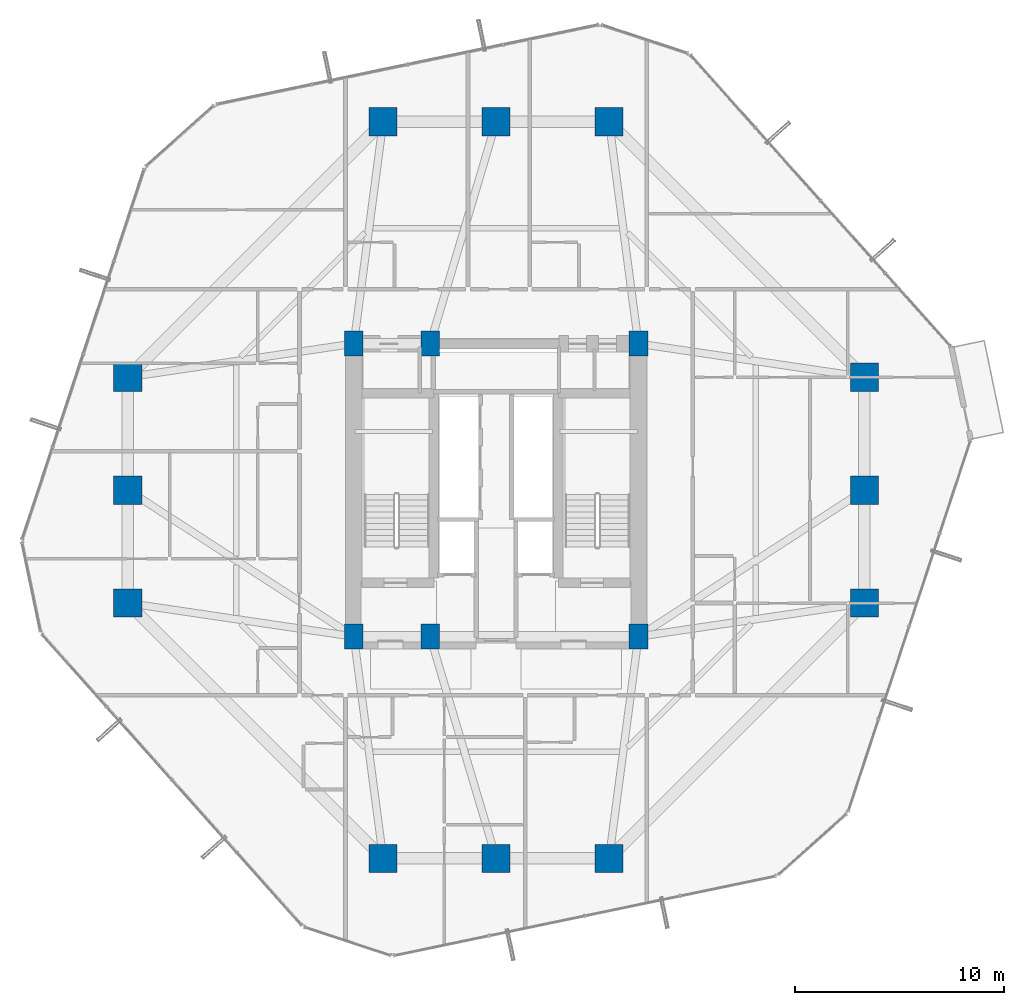
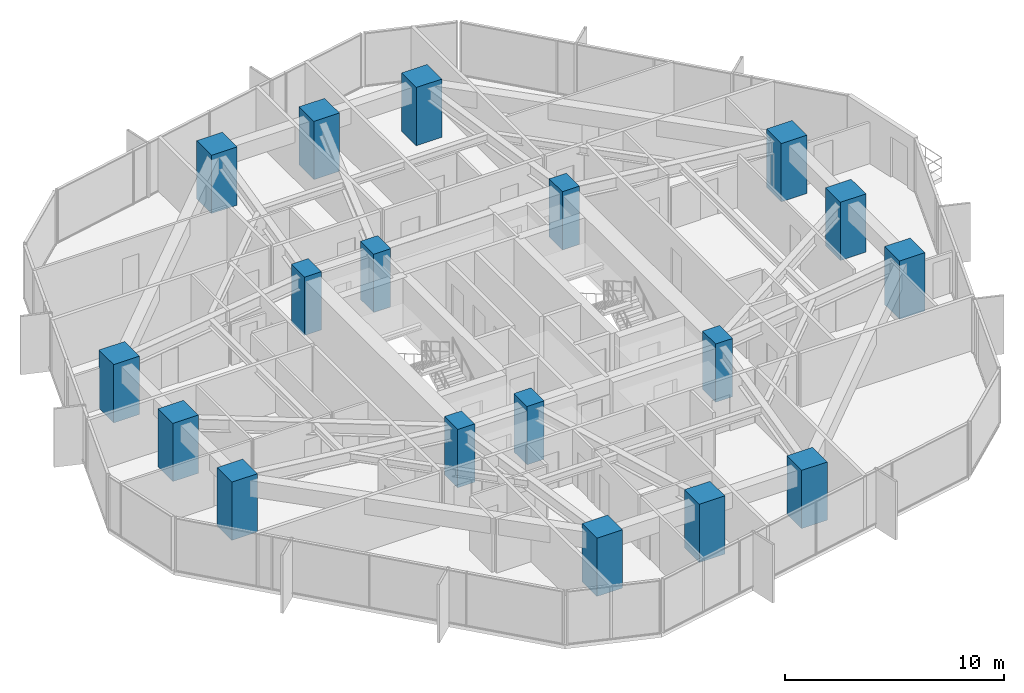
# One storey, part 1 of 38: 18 columns.
"""IFC4 building model written with IfcOpenShell, lengths in metres."""

from ifc_helpers import new_model, si_unit, direction, frame, origin, origin_2d, place, context, subcontext, project, spatial, rectangle, extrude, material, material_profile, profile_set, type_object, element, save


model = new_model("IFC4")

# Units and contexts
model_context = context("Model", 3, precision=1e-05, world=origin(), true_north=direction((0.0, 1.0)))
body_context = subcontext(model_context, "Body", "Model", "MODEL_VIEW")
ifc_project = project(units=[si_unit("LENGTHUNIT", "METRE"), si_unit("AREAUNIT", "SQUARE_METRE"), si_unit("VOLUMEUNIT", "CUBIC_METRE"), si_unit("PLANEANGLEUNIT", "RADIAN"), si_unit("MASSUNIT", "GRAM", prefix="KILO")], contexts=[model_context])

# Site, building, storey
site_placement = place(None, origin())
site = spatial("IfcSite", under=ifc_project, at=site_placement, CompositionType="ELEMENT")
building_placement = place(site_placement, origin())
building = spatial("IfcBuilding", under=site, at=building_placement, Name="Veraguas Prism Commons", CompositionType="ELEMENT")
storey_placement = place(building_placement, frame((0.0, 0.0, 64.10009765625)))
storey = spatial("IfcBuildingStorey", under=building, at=storey_placement, Name="L17", CompositionType="ELEMENT", Elevation=64.10009765625)

# Columns
ifc_material = material(Name="Concrete C60/75", Category="concrete")
ifc_material_profile_1 = material_profile(ifc_material, rectangle(XDim=1.35009765625, YDim=1.35009765625, at=origin_2d()), Name="RC1350X1350")
ifc_profile_set_1 = profile_set([ifc_material_profile_1], Name="Concrete C60/75")
column_type_1 = type_object("IfcColumnType", Name="Column Tube Z1 RC 1350x1350", PredefinedType="COLUMN", material=ifc_profile_set_1)
for number, where, z_axis, x_axis, name in (
    (1, (41.60009765625, 18.60009765625, 0.0), (0.0, 0.0, 1.0), (1.0, 0.0, 0.0), "Tower Perimeter Column L17-TB01"),
    (2, (41.60009765625, 24.0, 0.0), (0.0, 0.0, 1.0), (1.0, 0.0, 0.0), "Tower Perimeter Column L17-TB02"),
    (3, (41.60009765625, 29.39990234375, 0.0), (0.0, 0.0, 1.0), (1.0, 0.0, 0.0), "Tower Perimeter Column L17-TB03"),
    (4, (29.39990234375, 41.60009765625, 0.0), (0.0, 0.0, 1.0), (1.0, 0.0, 0.0), "Tower Perimeter Column L17-TB04"),
    (5, (24.0, 41.60009765625, 0.0), (0.0, 0.0, 1.0), (1.0, 0.0, 0.0), "Tower Perimeter Column L17-TB05"),
    (6, (18.60009765625, 41.60009765625, 0.0), (0.0, 0.0, 1.0), (1.0, 0.0, 0.0), "Tower Perimeter Column L17-TB06"),
    (7, (6.39990234375, 29.39990234375, 0.0), (0.0, 0.0, 1.0), (1.0, 0.0, 0.0), "Tower Perimeter Column L17-TB07"),
    (8, (6.39990234375, 24.0, 0.0), (0.0, 0.0, 1.0), (1.0, 0.0, 0.0), "Tower Perimeter Column L17-TB08"),
    (9, (6.39990234375, 18.60009765625, 0.0), (0.0, 0.0, 1.0), (1.0, 0.0, 0.0), "Tower Perimeter Column L17-TB09"),
    (10, (18.60009765625, 6.39990234375, 0.0), (0.0, 0.0, 1.0), (1.0, 0.0, 0.0), "Tower Perimeter Column L17-TB10"),
    (11, (24.0, 6.39990234375, 0.0), (0.0, 0.0, 1.0), (1.0, 0.0, 0.0), "Tower Perimeter Column L17-TB11"),
    (12, (29.39990234375, 6.39990234375, 0.0), (0.0, 0.0, 1.0), (1.0, 0.0, 0.0), "Tower Perimeter Column L17-TB12"),
):
    element("IfcColumn", number, at=place(storey_placement, frame(where, z_axis=z_axis, x_axis=x_axis)), inside=storey, type_object=column_type_1, Name=name, PredefinedType="COLUMN", context=body_context, shape_type="SweptSolid", body=[
        extrude(rectangle(XDim=1.35009765625, YDim=1.35009765625, at=origin_2d()), origin(), (0.0, 0.0, 1.0), 3.25),
    ])
ifc_material_profile_2 = material_profile(ifc_material, rectangle(XDim=0.89990234375, YDim=1.199951171875, at=origin_2d()), Name="RC900X1200")
ifc_profile_set_2 = profile_set([ifc_material_profile_2], Name="Concrete C60/75")
column_type_2 = type_object("IfcColumnType", Name="Pilaster Core Lower RC 900x1200", PredefinedType="PILASTER", material=ifc_profile_set_2)
for number, where, z_axis, x_axis, name in (
    (13, (17.199951171875, 17.0, 0.0), (0.0, 0.0, 1.0), (1.0, 0.0, 0.0), "Core Pilaster Column L17-CR1"),
    (14, (20.85009765625, 17.0, 0.0), (0.0, 0.0, 1.0), (1.0, 0.0, 0.0), "Core Pilaster Column L17-CR2"),
    (15, (30.800048828125, 17.0, 0.0), (0.0, 0.0, 1.0), (1.0, 0.0, 0.0), "Core Pilaster Column L17-CR3"),
    (16, (17.199951171875, 31.0, 0.0), (0.0, 0.0, 1.0), (1.0, 0.0, 0.0), "Core Pilaster Column L17-CR4"),
    (17, (20.85009765625, 31.0, 0.0), (0.0, 0.0, 1.0), (1.0, 0.0, 0.0), "Core Pilaster Column L17-CR5"),
    (18, (30.800048828125, 31.0, 0.0), (0.0, 0.0, 1.0), (1.0, 0.0, 0.0), "Core Pilaster Column L17-CR6"),
):
    element("IfcColumn", number, at=place(storey_placement, frame(where, z_axis=z_axis, x_axis=x_axis)), inside=storey, type_object=column_type_2, Name=name, PredefinedType="PILASTER", context=body_context, shape_type="SweptSolid", body=[
        extrude(rectangle(XDim=0.89990234375, YDim=1.199951171875, at=origin_2d()), origin(), (0.0, 0.0, 1.0), 3.25),
    ])

save(model, "model.ifc")
